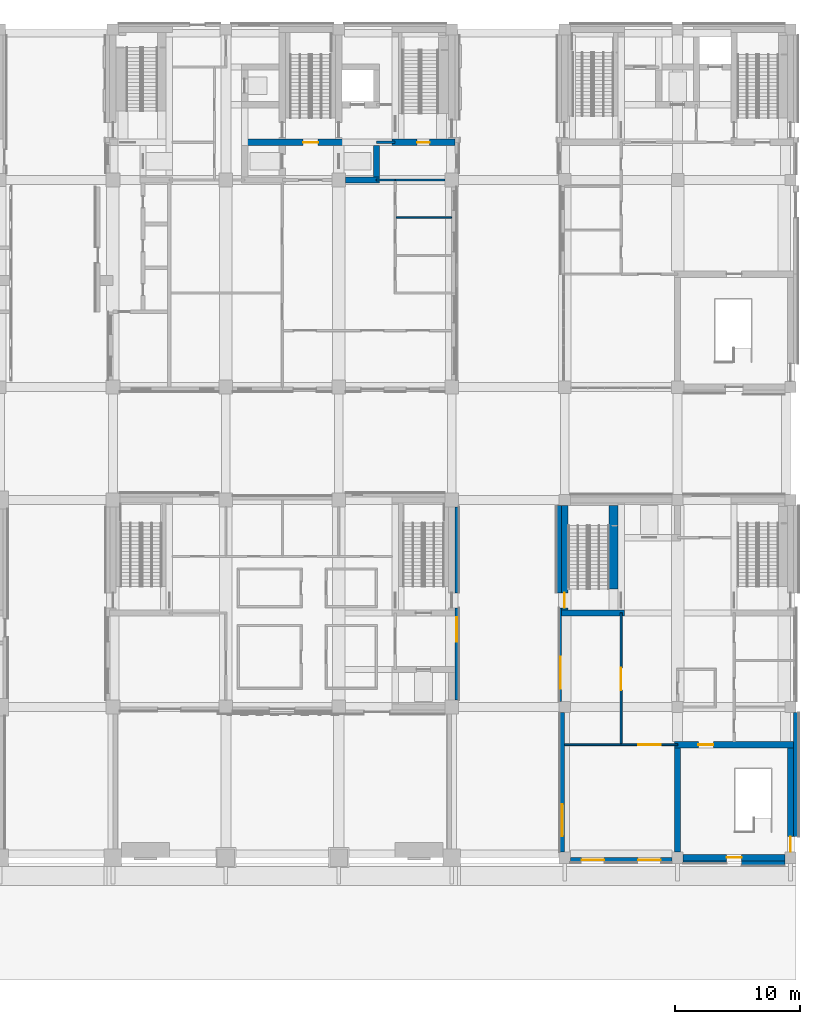
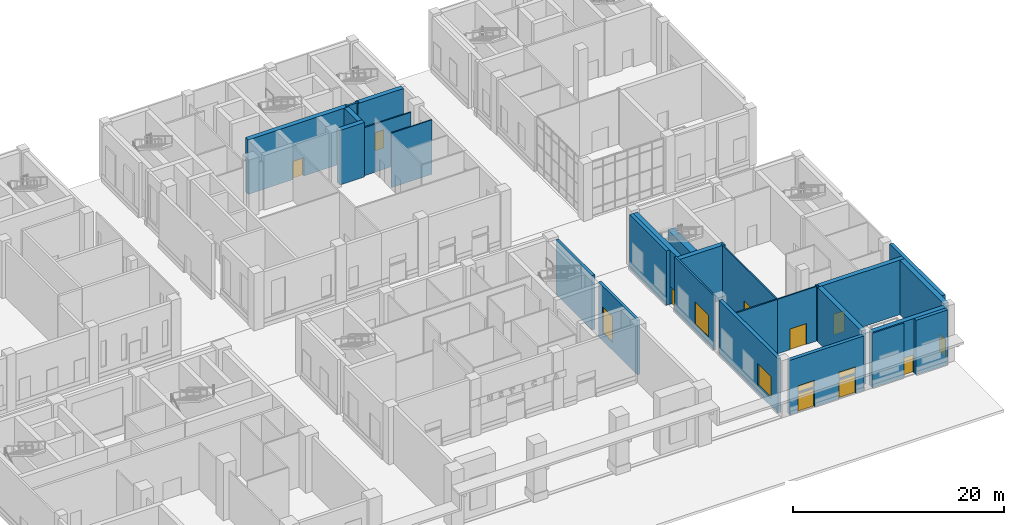
# One storey, part 14 of 35: 27 walls, 10 doors, 5 windows, 15 openings.
"""IFC4 building model written with IfcOpenShell, lengths in metres."""

from ifc_helpers import new_model, si_unit, direction, frame, frame_2d, origin, place, context, subcontext, project, spatial, rectangle, extrude, material, layer, layer_set, type_object, element, fill, save


model = new_model("IFC4")

# Units and contexts
model_context = context("Model", 3, precision=1e-05, world=origin(), true_north=direction((0.0, 1.0)))
body_context = subcontext(model_context, "Body", "Model", "MODEL_VIEW")
ifc_project = project(units=[si_unit("LENGTHUNIT", "METRE"), si_unit("AREAUNIT", "SQUARE_METRE"), si_unit("VOLUMEUNIT", "CUBIC_METRE"), si_unit("PLANEANGLEUNIT", "RADIAN"), si_unit("MASSUNIT", "GRAM", prefix="KILO")], contexts=[model_context])

# Site, building, storey
site_placement = place(None, origin())
site = spatial("IfcSite", under=ifc_project, at=site_placement, CompositionType="ELEMENT")
building_placement = place(site_placement, origin())
building = spatial("IfcBuilding", under=site, at=building_placement, Name="Aurelan Courthouse", CompositionType="ELEMENT")
storey_placement = place(building_placement, origin())
storey = spatial("IfcBuildingStorey", under=building, at=storey_placement, Name="L00", CompositionType="ELEMENT", Elevation=0.0)

# Wall, opening, window
ifc_material_1 = material(Name="Limestone cladding", Category="masonry")
ifc_layer_1 = layer(ifc_material_1, 0.0849609375, Name="Facing")
ifc_material_2 = material(Name="Ventilated cavity")
ifc_layer_2 = layer(ifc_material_2, 0.02490234375, ventilated=True, Name="Ventilated cavity")
ifc_material_3 = material(Name="Mineral wool insulation")
ifc_layer_3 = layer(ifc_material_3, 0.044921875, Name="Insulation")
ifc_material_4 = material(Name="Concrete C30", Category="concrete")
ifc_layer_4 = layer(ifc_material_4, 0.14501953125, Name="Structure")
ifc_layer_set_1 = layer_set([ifc_layer_1, ifc_layer_2, ifc_layer_3, ifc_layer_4], Name="Concrete C30")
wall_type_1 = type_object("IfcWallType", Name="Ceremonial Court stone-faced wall 300", PredefinedType="SOLIDWALL", material=ifc_layer_set_1)
wall_1_placement = place(storey_placement, frame((63.39990234375, 12.550048828125, 0.0), z_axis=(0.0, 0.0, 1.0), x_axis=(0.0, 1.0, 0.0)))
wall_1 = element("IfcWall", 1, at=wall_1_placement, inside=storey, type_object=wall_type_1, Name="Facade wall FW-V1-L00-004", PredefinedType="SOLIDWALL", context=body_context, shape_type="SweptSolid", body=[
    extrude(rectangle(XDim=7.349853515625, YDim=0.300048828125, at=frame_2d((3.6748046875, 0.0))), origin(), (0.0, 0.0, 1.0), 6.300048828125),
])
opening_1_placement = place(wall_1_placement, frame((4.66259765625, 0.0, 0.89990234375)))
opening_1 = element("IfcOpeningElement", 2, at=opening_1_placement, cuts=wall_1, Name="Opening WN-V1-L00-003", PredefinedType="OPENING", context=body_context, shape_type="SweptSolid", body=[
    extrude(rectangle(XDim=1.949951171875, YDim=3.0, at=frame_2d((0.97509765625, 1.5))), frame((0.0, 0.159912109375, 0.0), z_axis=(0.0, -1.0, 0.0), x_axis=(1.0, 0.0, 0.0)), (0.0, 0.0, 1.0), 0.320068359375),
])
ifc_material_5 = material(Name="Bronze-finished aluminium and glass", Category="aluminium")
window_type_1 = type_object("IfcWindowType", Name="Ceremonial Court window 1950 x 3000, sill 900", PartitioningType="SINGLE_PANEL", PredefinedType="WINDOW", material=ifc_material_5)
window_1_placement = place(opening_1_placement, origin())
window_1 = element("IfcWindow", 3, at=window_1_placement, inside=storey, type_object=window_type_1, Name="Window WN-V1-L00-003", OverallHeight=3.0, OverallWidth=1.949951171875, PartitioningType="SINGLE_PANEL", PredefinedType="WINDOW", context=body_context, shape_type="SweptSolid", body=[
    extrude(rectangle(XDim=1.949951171875, YDim=3.0, at=frame_2d((0.97509765625, 1.5))), frame((0.0, 0.030029296875, 0.0), z_axis=(0.0, -1.0, 0.0), x_axis=(1.0, 0.0, 0.0)), (0.0, 0.0, 1.0), 0.06005859375),
])
fill(opening_1, window_1)

# Wall
wall_2_placement = place(storey_placement, frame((63.39990234375, 21.10009765625, 0.0), z_axis=(0.0, 0.0, 1.0), x_axis=(0.0, 1.0, 0.0)))
element("IfcWall", 4, at=wall_2_placement, inside=storey, type_object=wall_type_1, Name="Facade wall FW-V1-L00-005", PredefinedType="SOLIDWALL", context=body_context, shape_type="SweptSolid", body=[
    extrude(rectangle(XDim=6.849853515625, YDim=0.300048828125, at=frame_2d((3.4248046875, 0.0))), origin(), (0.0, 0.0, 1.0), 6.300048828125),
])

# Wall, opening, door
ifc_material_6 = material(Name="Gypsum board on metal studs")
ifc_layer_5 = layer(ifc_material_6, 0.14990234375)
ifc_layer_set_2 = layer_set([ifc_layer_5], Name="Gypsum board on metal studs")
wall_type_2 = type_object("IfcWallType", Name="Corridor partition 150 EI 60", PredefinedType="PARTITIONING", material=ifc_layer_set_2)
wall_3_placement = place(storey_placement, frame((76.5, 9.0, 0.0), z_axis=(0.0, 0.0, 1.0), x_axis=(1.0, 0.0, 0.0)))
wall_3 = element("IfcWall", 5, at=wall_3_placement, inside=storey, type_object=wall_type_2, Name="Corridor partition L00-003", PredefinedType="PARTITIONING", context=body_context, shape_type="SweptSolid", body=[
    extrude(rectangle(XDim=4.5, YDim=0.14990234375, at=frame_2d((2.25, 0.0))), origin(), (0.0, 0.0, 1.0), 6.300048828125),
])
opening_2_placement = place(wall_3_placement, frame((3.150146484375, 0.0, 0.0), z_axis=(0.0, 0.0, 1.0), x_axis=(-1.0, 0.0, 0.0)))
opening_2 = element("IfcOpeningElement", 6, at=opening_2_placement, cuts=wall_3, Name="Opening D-L00-077", PredefinedType="OPENING", context=body_context, shape_type="SweptSolid", body=[
    extrude(rectangle(XDim=1.800048828125, YDim=2.39990234375, at=frame_2d((0.89990234375, 1.199951171875))), frame((0.0, 0.0849609375, 0.0), z_axis=(0.0, -1.0, 0.0), x_axis=(1.0, 0.0, 0.0)), (0.0, 0.0, 1.0), 0.169921875),
])
ifc_material_7 = material(Name="Steel", Category="steel")
door_type_1 = type_object("IfcDoorType", Name="Double door 1800 x 2400 FD60", OperationType="DOUBLE_DOOR_SINGLE_SWING", PredefinedType="DOOR", material=ifc_material_7)
door_1_placement = place(opening_2_placement, origin())
door_1 = element("IfcDoor", 7, at=door_1_placement, inside=storey, type_object=door_type_1, Name="Double door D-L00-077", OperationType="DOUBLE_DOOR_SINGLE_SWING", OverallHeight=2.39990234375, OverallWidth=1.800048828125, PredefinedType="DOOR", context=body_context, shape_type="SweptSolid", body=[
    extrude(rectangle(XDim=1.800048828125, YDim=2.39990234375, at=frame_2d((0.89990234375, 1.199951171875))), frame((0.0, 0.02490234375, 0.0), z_axis=(0.0, -1.0, 0.0), x_axis=(1.0, 0.0, 0.0)), (0.0, 0.0, 1.0), 0.050048828125),
])
fill(opening_2, door_1)

# Wall
wall_4_placement = place(storey_placement, frame((57.0, 54.0, 0.0), z_axis=(0.0, 0.0, 1.0), x_axis=(1.0, 0.0, 0.0)))
element("IfcWall", 8, at=wall_4_placement, inside=storey, type_object=wall_type_2, Name="Corridor partition L00-044", PredefinedType="PARTITIONING", context=body_context, shape_type="SweptSolid", body=[
    extrude(rectangle(XDim=1.5, YDim=0.14990234375, at=frame_2d((0.75, 0.0))), origin(), (0.0, 0.0, 1.0), 5.550048828125),
])

# Wall, opening, door
wall_5_placement = place(storey_placement, frame((76.5, 9.074951171875, 0.0), z_axis=(0.0, 0.0, 1.0), x_axis=(0.0, 1.0, 0.0)))
wall_5 = element("IfcWall", 9, at=wall_5_placement, inside=storey, type_object=wall_type_2, Name="Corridor partition L00-092", PredefinedType="PARTITIONING", context=body_context, shape_type="SweptSolid", body=[
    extrude(rectangle(XDim=10.425048828125, YDim=0.14990234375, at=frame_2d((5.21240234375, 0.0))), origin(), (0.0, 0.0, 1.0), 6.300048828125),
])
opening_3_placement = place(wall_5_placement, frame((4.27490234375, 0.0, 0.0)))
opening_3 = element("IfcOpeningElement", 10, at=opening_3_placement, cuts=wall_5, Name="Opening D-L00-081", PredefinedType="OPENING", context=body_context, shape_type="SweptSolid", body=[
    extrude(rectangle(XDim=1.800048828125, YDim=2.39990234375, at=frame_2d((0.89990234375, 1.199951171875))), frame((0.0, 0.0849609375, 0.0), z_axis=(0.0, -1.0, 0.0), x_axis=(1.0, 0.0, 0.0)), (0.0, 0.0, 1.0), 0.169921875),
])
door_2_placement = place(opening_3_placement, origin())
door_2 = element("IfcDoor", 11, at=door_2_placement, inside=storey, type_object=door_type_1, Name="Double door D-L00-081", OperationType="DOUBLE_DOOR_SINGLE_SWING", OverallHeight=2.39990234375, OverallWidth=1.800048828125, PredefinedType="DOOR", context=body_context, shape_type="SweptSolid", body=[
    extrude(rectangle(XDim=1.800048828125, YDim=2.39990234375, at=frame_2d((0.89990234375, 1.199951171875))), frame((0.0, 0.02490234375, 0.0), z_axis=(0.0, -1.0, 0.0), x_axis=(1.0, 0.0, 0.0)), (0.0, 0.0, 1.0), 0.050048828125),
])
fill(opening_3, door_2)

# Walls
ifc_material_8 = material(Name="Masonry block", Category="masonry")
ifc_layer_6 = layer(ifc_material_8, 0.199951171875)
ifc_layer_set_3 = layer_set([ifc_layer_6], Name="Masonry block")
wall_type_3 = type_object("IfcWallType", Name="Lift lobby wall 200 EI 60", PredefinedType="PARTITIONING", material=ifc_layer_set_3)
wall_6_placement = place(storey_placement, frame((57.0, 57.0, 0.0), z_axis=(0.0, 0.0, 1.0), x_axis=(1.0, 0.0, 0.0)))
element("IfcWall", 12, at=wall_6_placement, inside=storey, type_object=wall_type_3, Name="Lift lobby wall L00-050", PredefinedType="PARTITIONING", context=body_context, shape_type="SweptSolid", body=[
    extrude(rectangle(XDim=1.5, YDim=0.199951171875, at=frame_2d((0.75, 0.0))), origin(), (0.0, 0.0, 1.0), 6.300048828125),
])
ifc_layer_7 = layer(ifc_material_6, 0.14990234375)
ifc_layer_set_4 = layer_set([ifc_layer_7], Name="Gypsum board on metal studs")
wall_type_4 = type_object("IfcWallType", Name="Partition 150 NOT RATED", PredefinedType="PARTITIONING", material=ifc_layer_set_4)
wall_7_placement = place(storey_placement, frame((72.0, 9.0, 0.0), z_axis=(0.0, 0.0, 1.0), x_axis=(1.0, 0.0, 0.0)))
element("IfcWall", 13, at=wall_7_placement, inside=storey, type_object=wall_type_4, Name="Partition L00-002", PredefinedType="PARTITIONING", context=body_context, shape_type="SweptSolid", body=[
    extrude(rectangle(XDim=4.5, YDim=0.14990234375, at=frame_2d((2.25, 0.0))), origin(), (0.0, 0.0, 1.0), 6.300048828125),
])
ifc_material_9 = material(Name="Granite cladding", Category="masonry")
ifc_layer_8 = layer(ifc_material_9, 0.050048828125, Name="Facing")
ifc_layer_9 = layer(ifc_material_2, 0.02490234375, ventilated=True, Name="Ventilated cavity")
ifc_layer_10 = layer(ifc_material_3, 0.02490234375, Name="Insulation")
ifc_layer_11 = layer(ifc_material_4, 0.080078125, Name="Structure")
ifc_layer_set_5 = layer_set([ifc_layer_8, ifc_layer_9, ifc_layer_10, ifc_layer_11], Name="Concrete C30")
wall_type_5 = type_object("IfcWallType", Name="Public Hall and Registry granite-faced wall 180", PredefinedType="SOLIDWALL", material=ifc_layer_set_5)
wall_8_placement = place(storey_placement, frame((81.449951171875, -0.340087890625, 0.0), z_axis=(0.0, 0.0, 1.0), x_axis=(1.0, 0.0, 0.0)))
element("IfcWall", 14, at=wall_8_placement, inside=storey, type_object=wall_type_5, Name="Facade wall FW-V4-L00-002", PredefinedType="SOLIDWALL", context=body_context, shape_type="SweptSolid", body=[
    extrude(rectangle(XDim=3.449951171875, YDim=0.179931640625, at=frame_2d((1.72509765625, 0.0))), origin(), (0.0, 0.0, 1.0), 6.300048828125),
])

# Wall, opening, window
wall_9_placement = place(storey_placement, frame((71.659912109375, 12.449951171875, 0.0), z_axis=(0.0, 0.0, 1.0), x_axis=(0.0, 1.0, 0.0)))
wall_9 = element("IfcWall", 15, at=wall_9_placement, inside=storey, type_object=wall_type_5, Name="Facade wall FW-V4-L00-010", PredefinedType="SOLIDWALL", context=body_context, shape_type="SweptSolid", body=[
    extrude(rectangle(XDim=7.449951171875, YDim=0.179931640625, at=frame_2d((3.72509765625, 0.0))), origin(), (0.0, 0.0, 1.0), 6.300048828125),
])
opening_4_placement = place(wall_9_placement, frame((1.02490234375, 0.0, 0.89990234375)))
opening_4 = element("IfcOpeningElement", 16, at=opening_4_placement, cuts=wall_9, Name="Opening WN-V4-L00-007", PredefinedType="OPENING", context=body_context, shape_type="SweptSolid", body=[
    extrude(rectangle(XDim=2.550048828125, YDim=2.550048828125, at=frame_2d((1.27490234375, 1.27490234375))), frame((0.0, 0.099853515625, 0.0), z_axis=(0.0, -1.0, 0.0), x_axis=(1.0, 0.0, 0.0)), (0.0, 0.0, 1.0), 0.199951171875),
])
window_type_2 = type_object("IfcWindowType", Name="Public Hall and Registry window 2550 x 2550, sill 900", PartitioningType="SINGLE_PANEL", PredefinedType="WINDOW", material=ifc_material_5)
window_2_placement = place(opening_4_placement, origin())
window_2 = element("IfcWindow", 17, at=window_2_placement, inside=storey, type_object=window_type_2, Name="Window WN-V4-L00-007", OverallHeight=2.550048828125, OverallWidth=2.550048828125, PartitioningType="SINGLE_PANEL", PredefinedType="WINDOW", context=body_context, shape_type="SweptSolid", body=[
    extrude(rectangle(XDim=2.550048828125, YDim=2.550048828125, at=frame_2d((1.27490234375, 1.27490234375))), frame((0.0, 0.030029296875, 0.0), z_axis=(0.0, -1.0, 0.0), x_axis=(1.0, 0.0, 0.0)), (0.0, 0.0, 1.0), 0.06005859375),
])
fill(opening_4, window_2)

# Wall, openings, doors, windows
ifc_layer_12 = layer(ifc_material_9, 0.110107421875, Name="Facing")
ifc_layer_13 = layer(ifc_material_2, 0.02490234375, ventilated=True, Name="Ventilated cavity")
ifc_layer_14 = layer(ifc_material_3, 0.054931640625, Name="Insulation")
ifc_layer_15 = layer(ifc_material_4, 0.18994140625, Name="Structure")
ifc_layer_set_6 = layer_set([ifc_layer_12, ifc_layer_13, ifc_layer_14, ifc_layer_15], Name="Concrete C30")
wall_type_6 = type_object("IfcWallType", Name="Public Hall and Registry granite-faced wall 380", PredefinedType="SOLIDWALL", material=ifc_layer_set_6)
wall_10_placement = place(storey_placement, frame((72.449951171875, -0.18994140625, 0.0), z_axis=(0.0, 0.0, 1.0), x_axis=(1.0, 0.0, 0.0)))
wall_10 = element("IfcWall", 18, at=wall_10_placement, inside=storey, type_object=wall_type_6, Name="Facade wall FW-V4-L00-001", PredefinedType="SOLIDWALL", context=body_context, shape_type="SweptSolid", body=[
    extrude(rectangle(XDim=8.10009765625, YDim=0.3798828125, at=frame_2d((4.050048828125, 0.0))), origin(), (0.0, 0.0, 1.0), 6.300048828125),
])
opening_5_placement = place(wall_10_placement, frame((2.699951171875, 0.0, 0.0), z_axis=(0.0, 0.0, 1.0), x_axis=(-1.0, 0.0, 0.0)))
opening_5 = element("IfcOpeningElement", 19, at=opening_5_placement, cuts=wall_10, Name="Opening D-L00-075", PredefinedType="OPENING", context=body_context, shape_type="SweptSolid", body=[
    extrude(rectangle(XDim=1.800048828125, YDim=2.10009765625, at=frame_2d((0.89990234375, 1.050048828125))), frame((0.0, 0.199951171875, 0.0), z_axis=(0.0, -1.0, 0.0), x_axis=(1.0, 0.0, 0.0)), (0.0, 0.0, 1.0), 0.39990234375),
])
opening_6_placement = place(wall_10_placement, frame((0.89990234375, 0.0, 2.25)))
opening_6 = element("IfcOpeningElement", 20, at=opening_6_placement, cuts=wall_10, Name="Opening WN-V4-L00-001", PredefinedType="OPENING", context=body_context, shape_type="SweptSolid", body=[
    extrude(rectangle(XDim=1.800048828125, YDim=0.800048828125, at=frame_2d((0.89990234375, 0.39990234375))), frame((0.0, 0.199951171875, 0.0), z_axis=(0.0, -1.0, 0.0), x_axis=(1.0, 0.0, 0.0)), (0.0, 0.0, 1.0), 0.39990234375),
])
opening_7_placement = place(wall_10_placement, frame((7.199951171875, 0.0, 0.0), z_axis=(0.0, 0.0, 1.0), x_axis=(-1.0, 0.0, 0.0)))
opening_7 = element("IfcOpeningElement", 21, at=opening_7_placement, cuts=wall_10, Name="Opening D-L00-076", PredefinedType="OPENING", context=body_context, shape_type="SweptSolid", body=[
    extrude(rectangle(XDim=1.800048828125, YDim=2.10009765625, at=frame_2d((0.89990234375, 1.050048828125))), frame((0.0, 0.199951171875, 0.0), z_axis=(0.0, -1.0, 0.0), x_axis=(1.0, 0.0, 0.0)), (0.0, 0.0, 1.0), 0.39990234375),
])
opening_8_placement = place(wall_10_placement, frame((5.39990234375, 0.0, 2.25)))
opening_8 = element("IfcOpeningElement", 22, at=opening_8_placement, cuts=wall_10, Name="Opening WN-V4-L00-002", PredefinedType="OPENING", context=body_context, shape_type="SweptSolid", body=[
    extrude(rectangle(XDim=1.800048828125, YDim=0.800048828125, at=frame_2d((0.89990234375, 0.39990234375))), frame((0.0, 0.199951171875, 0.0), z_axis=(0.0, -1.0, 0.0), x_axis=(1.0, 0.0, 0.0)), (0.0, 0.0, 1.0), 0.39990234375),
])
ifc_material_10 = material(Name="Bronze-clad timber", Category="wood")
door_type_2 = type_object("IfcDoorType", Name="Bronze double door 1800 x 2100", OperationType="SINGLE_SWING_LEFT", PredefinedType="DOOR", material=ifc_material_10)
door_3_placement = place(opening_5_placement, origin())
door_3 = element("IfcDoor", 23, at=door_3_placement, inside=storey, type_object=door_type_2, Name="Entrance door D-L00-075", OperationType="DOUBLE_DOOR_SINGLE_SWING", OverallHeight=2.10009765625, OverallWidth=1.800048828125, PredefinedType="DOOR", context=body_context, shape_type="SweptSolid", body=[
    extrude(rectangle(XDim=1.800048828125, YDim=2.10009765625, at=frame_2d((0.89990234375, 1.050048828125))), frame((0.0, 0.02490234375, 0.0), z_axis=(0.0, -1.0, 0.0), x_axis=(1.0, 0.0, 0.0)), (0.0, 0.0, 1.0), 0.050048828125),
])
fill(opening_5, door_3)
door_4_placement = place(opening_7_placement, origin())
door_4 = element("IfcDoor", 24, at=door_4_placement, inside=storey, type_object=door_type_2, Name="Entrance door D-L00-076", OperationType="DOUBLE_DOOR_SINGLE_SWING", OverallHeight=2.10009765625, OverallWidth=1.800048828125, PredefinedType="DOOR", context=body_context, shape_type="SweptSolid", body=[
    extrude(rectangle(XDim=1.800048828125, YDim=2.10009765625, at=frame_2d((0.89990234375, 1.050048828125))), frame((0.0, 0.02490234375, 0.0), z_axis=(0.0, -1.0, 0.0), x_axis=(1.0, 0.0, 0.0)), (0.0, 0.0, 1.0), 0.050048828125),
])
fill(opening_7, door_4)
window_type_3 = type_object("IfcWindowType", Name="Public Hall and Registry transom light 1800 x 800, sill 2250", PartitioningType="SINGLE_PANEL", PredefinedType="WINDOW", material=ifc_material_5)
window_3_placement = place(opening_6_placement, origin())
window_3 = element("IfcWindow", 25, at=window_3_placement, inside=storey, type_object=window_type_3, Name="Transom light WN-V4-L00-001", OverallHeight=0.800048828125, OverallWidth=1.800048828125, PartitioningType="SINGLE_PANEL", PredefinedType="WINDOW", context=body_context, shape_type="SweptSolid", body=[
    extrude(rectangle(XDim=1.800048828125, YDim=0.800048828125, at=frame_2d((0.89990234375, 0.39990234375))), frame((0.0, 0.030029296875, 0.0), z_axis=(0.0, -1.0, 0.0), x_axis=(1.0, 0.0, 0.0)), (0.0, 0.0, 1.0), 0.06005859375),
])
fill(opening_6, window_3)
window_4_placement = place(opening_8_placement, origin())
window_4 = element("IfcWindow", 26, at=window_4_placement, inside=storey, type_object=window_type_3, Name="Transom light WN-V4-L00-002", OverallHeight=0.800048828125, OverallWidth=1.800048828125, PartitioningType="SINGLE_PANEL", PredefinedType="WINDOW", context=body_context, shape_type="SweptSolid", body=[
    extrude(rectangle(XDim=1.800048828125, YDim=0.800048828125, at=frame_2d((0.89990234375, 0.39990234375))), frame((0.0, 0.030029296875, 0.0), z_axis=(0.0, -1.0, 0.0), x_axis=(1.0, 0.0, 0.0)), (0.0, 0.0, 1.0), 0.06005859375),
])
fill(opening_8, window_4)

# Walls
wall_11_placement = place(storey_placement, frame((86.10009765625, -0.43994140625, 0.0), z_axis=(0.0, 0.0, 1.0), x_axis=(1.0, 0.0, 0.0)))
element("IfcWall", 27, at=wall_11_placement, inside=storey, type_object=wall_type_6, Name="Facade wall FW-V4-L00-003", PredefinedType="SOLIDWALL", context=body_context, shape_type="SweptSolid", body=[
    extrude(rectangle(XDim=3.449951171875, YDim=0.3798828125, at=frame_2d((1.72509765625, 0.0))), origin(), (0.0, 0.0, 1.0), 6.300048828125),
])
wall_12_placement = place(storey_placement, frame((90.43994140625, 1.669921875, 0.0), z_axis=(0.0, 0.0, 1.0), x_axis=(0.0, 1.0, 0.0)))
element("IfcWall", 28, at=wall_12_placement, inside=storey, type_object=wall_type_6, Name="Facade wall FW-V4-L00-006", PredefinedType="SOLIDWALL", context=body_context, shape_type="SweptSolid", body=[
    extrude(rectangle(XDim=9.880126953125, YDim=0.3798828125, at=frame_2d((4.93994140625, 0.0))), origin(), (0.0, 0.0, 1.0), 6.300048828125),
])

# Wall, opening, window
wall_13_placement = place(storey_placement, frame((71.81005859375, 0.449951171875, 0.0), z_axis=(0.0, 0.0, 1.0), x_axis=(0.0, 1.0, 0.0)))
wall_13 = element("IfcWall", 29, at=wall_13_placement, inside=storey, type_object=wall_type_6, Name="Facade wall FW-V4-L00-009", PredefinedType="SOLIDWALL", context=body_context, shape_type="SweptSolid", body=[
    extrude(rectangle(XDim=11.10009765625, YDim=0.3798828125, at=frame_2d((5.550048828125, 0.0))), origin(), (0.0, 0.0, 1.0), 6.300048828125),
])
opening_9_placement = place(wall_13_placement, frame((1.27490234375, 0.0, 0.89990234375)))
opening_9 = element("IfcOpeningElement", 30, at=opening_9_placement, cuts=wall_13, Name="Opening WN-V4-L00-006", PredefinedType="OPENING", context=body_context, shape_type="SweptSolid", body=[
    extrude(rectangle(XDim=2.550048828125, YDim=2.550048828125, at=frame_2d((1.27490234375, 1.27490234375))), frame((0.0, 0.199951171875, 0.0), z_axis=(0.0, -1.0, 0.0), x_axis=(1.0, 0.0, 0.0)), (0.0, 0.0, 1.0), 0.39990234375),
])
window_5_placement = place(opening_9_placement, origin())
window_5 = element("IfcWindow", 31, at=window_5_placement, inside=storey, type_object=window_type_2, Name="Window WN-V4-L00-006", OverallHeight=2.550048828125, OverallWidth=2.550048828125, PartitioningType="SINGLE_PANEL", PredefinedType="WINDOW", context=body_context, shape_type="SweptSolid", body=[
    extrude(rectangle(XDim=2.550048828125, YDim=2.550048828125, at=frame_2d((1.27490234375, 1.27490234375))), frame((0.0, 0.030029296875, 0.0), z_axis=(0.0, -1.0, 0.0), x_axis=(1.0, 0.0, 0.0)), (0.0, 0.0, 1.0), 0.06005859375),
])
fill(opening_9, window_5)

# Wall
wall_14_placement = place(storey_placement, frame((71.56005859375, 21.10009765625, 0.0), z_axis=(0.0, 0.0, 1.0), x_axis=(0.0, 1.0, 0.0)))
element("IfcWall", 32, at=wall_14_placement, inside=storey, type_object=wall_type_6, Name="Facade wall FW-V4-L00-011", PredefinedType="SOLIDWALL", context=body_context, shape_type="SweptSolid", body=[
    extrude(rectangle(XDim=6.949951171875, YDim=0.3798828125, at=frame_2d((3.47509765625, 0.0))), origin(), (0.0, 0.0, 1.0), 6.300048828125),
])

# Wall, opening, door
ifc_material_11 = material(Name="Concrete C50", Category="concrete")
ifc_layer_16 = layer(ifc_material_11, 0.5)
ifc_layer_set_7 = layer_set([ifc_layer_16], Name="Concrete C50")
wall_type_7 = type_object("IfcWallType", Name="RC shear wall 500", PredefinedType="SHEAR", material=ifc_layer_set_7)
wall_15_placement = place(storey_placement, frame((81.449951171875, 0.0, 0.0), z_axis=(0.0, 0.0, 1.0), x_axis=(1.0, 0.0, 0.0)))
wall_15 = element("IfcWall", 33, at=wall_15_placement, inside=storey, type_object=wall_type_7, Name="Core wall SW-L00-002", PredefinedType="SHEAR", context=body_context, shape_type="SweptSolid", body=[
    extrude(rectangle(XDim=8.10009765625, YDim=0.5, at=frame_2d((4.050048828125, 0.0))), origin(), (0.0, 0.0, 1.0), 6.300048828125),
])
opening_10_placement = place(wall_15_placement, frame((4.64990234375, 0.0, 0.0), z_axis=(0.0, 0.0, 1.0), x_axis=(-1.0, 0.0, 0.0)))
opening_10 = element("IfcOpeningElement", 34, at=opening_10_placement, cuts=wall_15, Name="Opening D-L00-078", PredefinedType="OPENING", context=body_context, shape_type="SweptSolid", body=[
    extrude(rectangle(XDim=1.199951171875, YDim=2.10009765625, at=frame_2d((0.60009765625, 1.050048828125))), frame((0.0, 0.260009765625, 0.0), z_axis=(0.0, -1.0, 0.0), x_axis=(1.0, 0.0, 0.0)), (0.0, 0.0, 1.0), 0.52001953125),
])
door_type_3 = type_object("IfcDoorType", Name="Bronze single door 1200 x 2100", OperationType="SINGLE_SWING_LEFT", PredefinedType="DOOR", material=ifc_material_10)
door_5_placement = place(opening_10_placement, origin())
door_5 = element("IfcDoor", 35, at=door_5_placement, inside=storey, type_object=door_type_3, Name="Exit door D-L00-078", OperationType="SINGLE_SWING_LEFT", OverallHeight=2.10009765625, OverallWidth=1.199951171875, PredefinedType="DOOR", context=body_context, shape_type="SweptSolid", body=[
    extrude(rectangle(XDim=1.199951171875, YDim=2.10009765625, at=frame_2d((0.60009765625, 1.050048828125))), frame((0.0, 0.02490234375, 0.0), z_axis=(0.0, -1.0, 0.0), x_axis=(1.0, 0.0, 0.0)), (0.0, 0.0, 1.0), 0.050048828125),
])
fill(opening_10, door_5)

# Wall
wall_16_placement = place(storey_placement, frame((81.0, 0.449951171875, 0.0), z_axis=(0.0, 0.0, 1.0), x_axis=(0.0, 1.0, 0.0)))
element("IfcWall", 36, at=wall_16_placement, inside=storey, type_object=wall_type_7, Name="Core wall SW-L00-004", PredefinedType="SHEAR", context=body_context, shape_type="SweptSolid", body=[
    extrude(rectangle(XDim=8.300048828125, YDim=0.5, at=frame_2d((4.14990234375, 0.0))), origin(), (0.0, 0.0, 1.0), 6.300048828125),
])

# Wall, opening, door
wall_17_placement = place(storey_placement, frame((90.0, 0.449951171875, 0.0), z_axis=(0.0, 0.0, 1.0), x_axis=(0.0, 1.0, 0.0)))
wall_17 = element("IfcWall", 37, at=wall_17_placement, inside=storey, type_object=wall_type_7, Name="Core wall SW-L00-005", PredefinedType="SHEAR", context=body_context, shape_type="SweptSolid", body=[
    extrude(rectangle(XDim=8.300048828125, YDim=0.5, at=frame_2d((4.14990234375, 0.0))), origin(), (0.0, 0.0, 1.0), 6.300048828125),
])
opening_11_placement = place(wall_17_placement, frame((1.219970703125, 0.0, 0.0), z_axis=(0.0, 0.0, 1.0), x_axis=(-1.0, 0.0, 0.0)))
opening_11 = element("IfcOpeningElement", 38, at=opening_11_placement, cuts=wall_17, Name="Opening D-L00-079", PredefinedType="OPENING", context=body_context, shape_type="SweptSolid", body=[
    extrude(rectangle(XDim=1.199951171875, YDim=2.10009765625, at=frame_2d((0.60009765625, 1.050048828125))), frame((0.0, 0.260009765625, 0.0), z_axis=(0.0, -1.0, 0.0), x_axis=(1.0, 0.0, 0.0)), (0.0, 0.0, 1.0), 0.52001953125),
])
door_6_placement = place(opening_11_placement, origin())
door_6 = element("IfcDoor", 39, at=door_6_placement, inside=storey, type_object=door_type_3, Name="Exit door D-L00-079", OperationType="SINGLE_SWING_LEFT", OverallHeight=2.10009765625, OverallWidth=1.199951171875, PredefinedType="DOOR", context=body_context, shape_type="SweptSolid", body=[
    extrude(rectangle(XDim=1.199951171875, YDim=2.10009765625, at=frame_2d((0.60009765625, 1.050048828125))), frame((0.0, 0.02490234375, 0.0), z_axis=(0.0, -1.0, 0.0), x_axis=(1.0, 0.0, 0.0)), (0.0, 0.0, 1.0), 0.050048828125),
])
fill(opening_11, door_6)

wall_18_placement = place(storey_placement, frame((80.75, 9.0, 0.0), z_axis=(0.0, 0.0, 1.0), x_axis=(1.0, 0.0, 0.0)))
wall_18 = element("IfcWall", 40, at=wall_18_placement, inside=storey, type_object=wall_type_7, Name="Core wall SW-L00-008", PredefinedType="SHEAR", context=body_context, shape_type="SweptSolid", body=[
    extrude(rectangle(XDim=9.5, YDim=0.5, at=frame_2d((4.75, 0.0))), origin(), (0.0, 0.0, 1.0), 6.300048828125),
])
opening_12_placement = place(wall_18_placement, frame((3.099853515625, 0.0, 0.0), z_axis=(0.0, 0.0, 1.0), x_axis=(-1.0, 0.0, 0.0)))
opening_12 = element("IfcOpeningElement", 41, at=opening_12_placement, cuts=wall_18, Name="Opening D-L00-080", PredefinedType="OPENING", context=body_context, shape_type="SweptSolid", body=[
    extrude(rectangle(XDim=1.199951171875, YDim=2.39990234375, at=frame_2d((0.60009765625, 1.199951171875))), frame((0.0, 0.260009765625, 0.0), z_axis=(0.0, -1.0, 0.0), x_axis=(1.0, 0.0, 0.0)), (0.0, 0.0, 1.0), 0.52001953125),
])
door_type_4 = type_object("IfcDoorType", Name="Single door 1200 x 2400 FD90", OperationType="SINGLE_SWING_LEFT", PredefinedType="DOOR", material=ifc_material_7)
door_7_placement = place(opening_12_placement, origin())
door_7 = element("IfcDoor", 42, at=door_7_placement, inside=storey, type_object=door_type_4, Name="Single door D-L00-080", OperationType="SINGLE_SWING_RIGHT", OverallHeight=2.39990234375, OverallWidth=1.199951171875, PredefinedType="DOOR", context=body_context, shape_type="SweptSolid", body=[
    extrude(rectangle(XDim=1.199951171875, YDim=2.39990234375, at=frame_2d((0.60009765625, 1.199951171875))), frame((0.0, 0.02490234375, 0.0), z_axis=(0.0, -1.0, 0.0), x_axis=(1.0, 0.0, 0.0)), (0.0, 0.0, 1.0), 0.050048828125),
])
fill(opening_12, door_7)

# Wall
wall_19_placement = place(storey_placement, frame((71.75, 19.5, 0.0), z_axis=(0.0, 0.0, 1.0), x_axis=(1.0, 0.0, 0.0)))
element("IfcWall", 43, at=wall_19_placement, inside=storey, type_object=wall_type_7, Name="Core wall SW-L00-017", PredefinedType="SHEAR", context=body_context, shape_type="SweptSolid", body=[
    extrude(rectangle(XDim=5.0, YDim=0.5, at=frame_2d((2.5, 0.0))), origin(), (0.0, 0.0, 1.0), 6.300048828125),
])

# Wall, opening, door
wall_20_placement = place(storey_placement, frame((72.0, 19.75, 0.0), z_axis=(0.0, 0.0, 1.0), x_axis=(0.0, 1.0, 0.0)))
wall_20 = element("IfcWall", 44, at=wall_20_placement, inside=storey, type_object=wall_type_7, Name="Core wall SW-L00-029", PredefinedType="SHEAR", context=body_context, shape_type="SweptSolid", body=[
    extrude(rectangle(XDim=8.300048828125, YDim=0.5, at=frame_2d((4.14990234375, 0.0))), origin(), (0.0, 0.0, 1.0), 6.300048828125),
])
opening_13_placement = place(wall_20_placement, frame((0.14990234375, 0.0, 0.0)))
opening_13 = element("IfcOpeningElement", 45, at=opening_13_placement, cuts=wall_20, Name="Opening D-L00-087", PredefinedType="OPENING", context=body_context, shape_type="SweptSolid", body=[
    extrude(rectangle(XDim=1.199951171875, YDim=2.10009765625, at=frame_2d((0.60009765625, 1.050048828125))), frame((0.0, 0.260009765625, 0.0), z_axis=(0.0, -1.0, 0.0), x_axis=(1.0, 0.0, 0.0)), (0.0, 0.0, 1.0), 0.52001953125),
])
door_8_placement = place(opening_13_placement, origin())
door_8 = element("IfcDoor", 46, at=door_8_placement, inside=storey, type_object=door_type_3, Name="Exit door D-L00-087", OperationType="SINGLE_SWING_LEFT", OverallHeight=2.10009765625, OverallWidth=1.199951171875, PredefinedType="DOOR", context=body_context, shape_type="SweptSolid", body=[
    extrude(rectangle(XDim=1.199951171875, YDim=2.10009765625, at=frame_2d((0.60009765625, 1.050048828125))), frame((0.0, 0.02490234375, 0.0), z_axis=(0.0, -1.0, 0.0), x_axis=(1.0, 0.0, 0.0)), (0.0, 0.0, 1.0), 0.050048828125),
])
fill(opening_13, door_8)

# Walls
wall_21_placement = place(storey_placement, frame((54.550048828125, 54.0, 0.0), z_axis=(0.0, 0.0, 1.0), x_axis=(1.0, 0.0, 0.0)))
element("IfcWall", 47, at=wall_21_placement, inside=storey, type_object=wall_type_7, Name="Core wall SW-L00-052", PredefinedType="SHEAR", context=body_context, shape_type="SweptSolid", body=[
    extrude(rectangle(XDim=2.699951171875, YDim=0.5, at=frame_2d((1.35009765625, 0.0))), origin(), (0.0, 0.0, 1.0), 6.300048828125),
])
wall_22_placement = place(storey_placement, frame((57.0, 54.25, 0.0), z_axis=(0.0, 0.0, 1.0), x_axis=(0.0, 1.0, 0.0)))
element("IfcWall", 48, at=wall_22_placement, inside=storey, type_object=wall_type_7, Name="Core wall SW-L00-057", PredefinedType="SHEAR", context=body_context, shape_type="SweptSolid", body=[
    extrude(rectangle(XDim=2.5, YDim=0.5, at=frame_2d((1.25, 0.0))), origin(), (0.0, 0.0, 1.0), 6.300048828125),
])

# Wall, opening, door
wall_23_placement = place(storey_placement, frame((46.25, 57.0, 0.0), z_axis=(0.0, 0.0, 1.0), x_axis=(1.0, 0.0, 0.0)))
wall_23 = element("IfcWall", 49, at=wall_23_placement, inside=storey, type_object=wall_type_7, Name="Core wall SW-L00-061", PredefinedType="SHEAR", context=body_context, shape_type="SweptSolid", body=[
    extrude(rectangle(XDim=11.0, YDim=0.5, at=frame_2d((5.5, 0.0))), origin(), (0.0, 0.0, 1.0), 6.300048828125),
])
opening_14_placement = place(wall_23_placement, frame((6.099853515625, 0.0, 0.0), z_axis=(0.0, 0.0, 1.0), x_axis=(-1.0, 0.0, 0.0)))
opening_14 = element("IfcOpeningElement", 50, at=opening_14_placement, cuts=wall_23, Name="Opening D-L00-024", PredefinedType="OPENING", context=body_context, shape_type="SweptSolid", body=[
    extrude(rectangle(XDim=1.199951171875, YDim=2.10009765625, at=frame_2d((0.60009765625, 1.050048828125))), frame((0.0, 0.260009765625, 0.0), z_axis=(0.0, -1.0, 0.0), x_axis=(1.0, 0.0, 0.0)), (0.0, 0.0, 1.0), 0.52001953125),
])
door_type_5 = type_object("IfcDoorType", Name="Single door 1200 x 2100 FD90", OperationType="SINGLE_SWING_LEFT", PredefinedType="DOOR", material=ifc_material_7)
door_9_placement = place(opening_14_placement, origin())
door_9 = element("IfcDoor", 51, at=door_9_placement, inside=storey, type_object=door_type_5, Name="Single door D-L00-024", OperationType="SINGLE_SWING_RIGHT", OverallHeight=2.10009765625, OverallWidth=1.199951171875, PredefinedType="DOOR", context=body_context, shape_type="SweptSolid", body=[
    extrude(rectangle(XDim=1.199951171875, YDim=2.10009765625, at=frame_2d((0.60009765625, 1.050048828125))), frame((0.0, 0.02490234375, 0.0), z_axis=(0.0, -1.0, 0.0), x_axis=(1.0, 0.0, 0.0)), (0.0, 0.0, 1.0), 0.050048828125),
])
fill(opening_14, door_9)

wall_24_placement = place(storey_placement, frame((58.25, 57.0, 0.0), z_axis=(0.0, 0.0, 1.0), x_axis=(1.0, 0.0, 0.0)))
wall_24 = element("IfcWall", 52, at=wall_24_placement, inside=storey, type_object=wall_type_7, Name="Core wall SW-L00-062", PredefinedType="SHEAR", context=body_context, shape_type="SweptSolid", body=[
    extrude(rectangle(XDim=5.0, YDim=0.5, at=frame_2d((2.5, 0.0))), origin(), (0.0, 0.0, 1.0), 6.300048828125),
])
opening_15_placement = place(wall_24_placement, frame((2.0, 0.0, 0.0)))
opening_15 = element("IfcOpeningElement", 53, at=opening_15_placement, cuts=wall_24, Name="Opening D-L00-054", PredefinedType="OPENING", context=body_context, shape_type="SweptSolid", body=[
    extrude(rectangle(XDim=1.0, YDim=2.10009765625, at=frame_2d((0.5, 1.050048828125))), frame((0.0, 0.260009765625, 0.0), z_axis=(0.0, -1.0, 0.0), x_axis=(1.0, 0.0, 0.0)), (0.0, 0.0, 1.0), 0.52001953125),
])
door_type_6 = type_object("IfcDoorType", Name="Single door 1000 x 2100 FD90", OperationType="SINGLE_SWING_LEFT", PredefinedType="DOOR", material=ifc_material_7)
door_10_placement = place(opening_15_placement, origin())
door_10 = element("IfcDoor", 54, at=door_10_placement, inside=storey, type_object=door_type_6, Name="Single door D-L00-054", OperationType="SINGLE_SWING_LEFT", OverallHeight=2.10009765625, OverallWidth=1.0, PredefinedType="DOOR", context=body_context, shape_type="SweptSolid", body=[
    extrude(rectangle(XDim=1.0, YDim=2.10009765625, at=frame_2d((0.5, 1.050048828125))), frame((0.0, 0.02490234375, 0.0), z_axis=(0.0, -1.0, 0.0), x_axis=(1.0, 0.0, 0.0)), (0.0, 0.0, 1.0), 0.050048828125),
])
fill(opening_15, door_10)

# Walls
ifc_layer_17 = layer(ifc_material_4, 0.699951171875)
ifc_layer_set_8 = layer_set([ifc_layer_17], Name="Concrete C30")
wall_type_8 = type_object("IfcWallType", Name="Stair well wall 700 EI 120 load-bearing", PredefinedType="SHEAR", material=ifc_layer_set_8)
wall_25_placement = place(storey_placement, frame((75.89990234375, 21.409912109375, 0.0), z_axis=(0.0, 0.0, 1.0), x_axis=(0.0, 1.0, 0.0)))
element("IfcWall", 55, at=wall_25_placement, inside=storey, type_object=wall_type_8, Name="Stair well wall ST-4A-L00 B", PredefinedType="SHEAR", context=body_context, shape_type="SweptSolid", body=[
    extrude(rectangle(XDim=6.64013671875, YDim=0.699951171875, at=frame_2d((3.320068359375, 0.0))), origin(), (0.0, 0.0, 1.0), 3.10009765625),
])
ifc_material_12 = material(Name="Moisture-resistant board on metal studs")
ifc_layer_18 = layer(ifc_material_12, 0.125)
ifc_layer_set_9 = layer_set([ifc_layer_18], Name="Moisture-resistant board on metal studs")
wall_type_9 = type_object("IfcWallType", Name="Wet-area partition 125 NOT RATED", PredefinedType="PARTITIONING", material=ifc_layer_set_9)
wall_26_placement = place(storey_placement, frame((58.574951171875, 51.0, 0.0), z_axis=(0.0, 0.0, 1.0), x_axis=(1.0, 0.0, 0.0)))
element("IfcWall", 56, at=wall_26_placement, inside=storey, type_object=wall_type_9, Name="Wet-area partition L00-038", PredefinedType="PARTITIONING", context=body_context, shape_type="SweptSolid", body=[
    extrude(rectangle(XDim=4.425048828125, YDim=0.125, at=frame_2d((2.21240234375, 0.0))), origin(), (0.0, 0.0, 1.0), 6.300048828125),
])
wall_27_placement = place(storey_placement, frame((58.5, 54.0, 0.0), z_axis=(0.0, 0.0, 1.0), x_axis=(1.0, 0.0, 0.0)))
element("IfcWall", 57, at=wall_27_placement, inside=storey, type_object=wall_type_9, Name="Wet-area partition L00-045", PredefinedType="PARTITIONING", context=body_context, shape_type="SweptSolid", body=[
    extrude(rectangle(XDim=3.949951171875, YDim=0.125, at=frame_2d((1.97509765625, 0.0))), origin(), (0.0, 0.0, 1.0), 5.550048828125),
])

save(model, "model.ifc")
